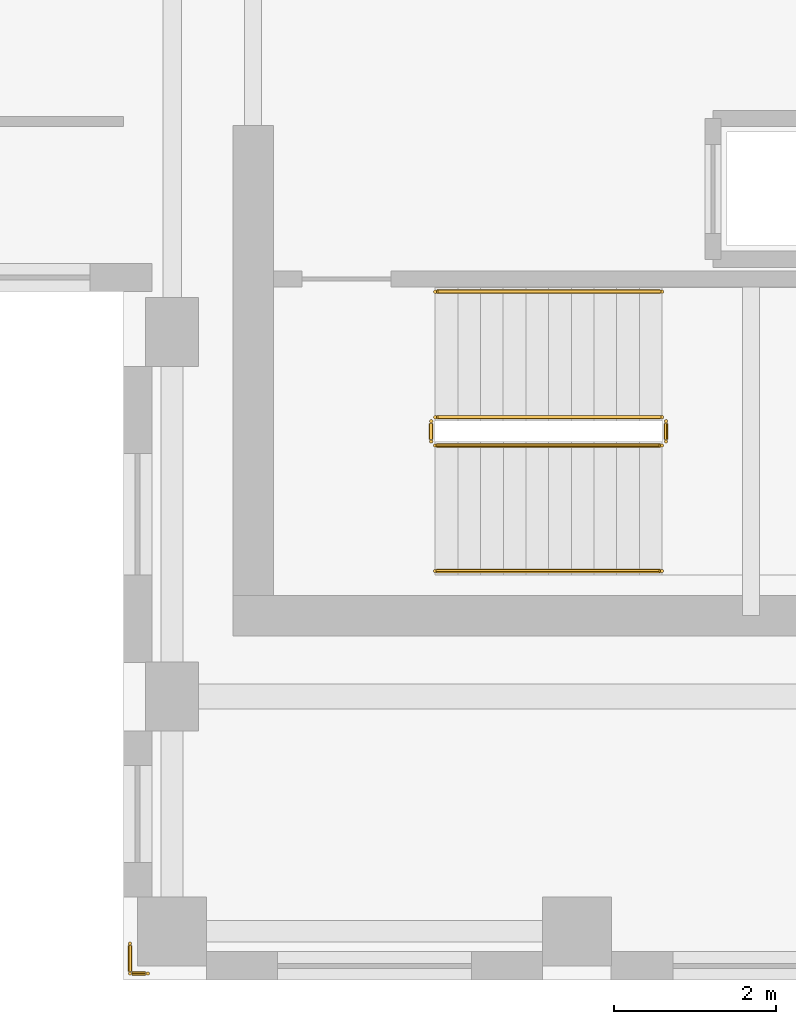
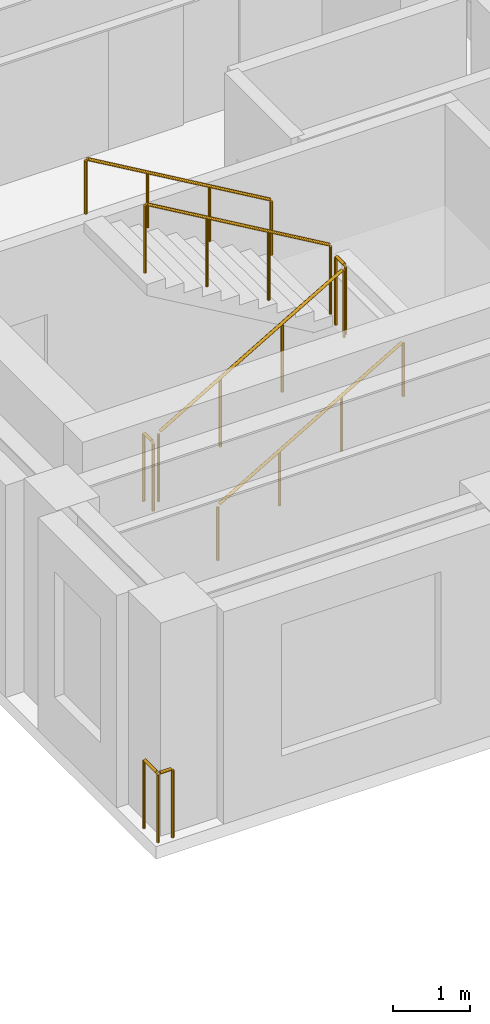
# One storey, part 10 of 10: 7 railings.
"""IFC4 building model written with IfcOpenShell, lengths in metres."""

from ifc_helpers import new_model, si_unit, direction, frame, origin, origin_2d, place, context, subcontext, project, spatial, circle, extrude, source, transform, mapped, material, layer, layer_set, type_object, element, save


model = new_model("IFC4")

# Units and contexts
model_context = context("Model", 3, precision=1e-05, world=origin(), true_north=direction((0.0, 1.0)))
body_context = subcontext(model_context, "Body", "Model", "MODEL_VIEW")
ifc_project = project(units=[si_unit("LENGTHUNIT", "METRE"), si_unit("AREAUNIT", "SQUARE_METRE"), si_unit("VOLUMEUNIT", "CUBIC_METRE"), si_unit("PLANEANGLEUNIT", "RADIAN"), si_unit("MASSUNIT", "GRAM", prefix="KILO")], contexts=[model_context])

# Site, building, storey
site_placement = place(None, origin())
site = spatial("IfcSite", under=ifc_project, at=site_placement, CompositionType="ELEMENT")
building_placement = place(site_placement, origin())
building = spatial("IfcBuilding", under=site, at=building_placement, Name="Kharzan Plaza Tower", CompositionType="ELEMENT")
storey_placement = place(building_placement, frame((0.0, 0.0, 230.39990234375)))
storey = spatial("IfcBuildingStorey", under=building, at=storey_placement, Name="L62", CompositionType="ELEMENT", Elevation=230.39990234375)

# Railings
ifc_material_1 = material(Name="Painted Galvanized Architectural Steel", Category="steel")
ifc_layer_1 = layer(ifc_material_1, 0.074951171875)
ifc_layer_set_1 = layer_set([ifc_layer_1], Name="Painted Galvanized Architectural Steel")
railing_type_1 = type_object("IfcRailingType", Name="RL-GUARD-1120", PredefinedType="BALUSTRADE", material=ifc_layer_set_1)
shared_shape_1 = source(origin(), body_context, "Body", "SweptSolid", [
    extrude(circle(Radius=0.02392578125, at=origin_2d()), frame((0.0, 0.0263671875, 1.09619140625), z_axis=(0.0, 1.0, 0.0), x_axis=(-1.0, 0.0, 0.0)), (0.0, 0.0, 1.0), 0.197021484375),
    extrude(circle(Radius=0.02099609375, at=origin_2d()), origin(), (0.0, 0.0, 1.0), 1.072021484375),
    extrude(circle(Radius=0.02099609375, at=origin_2d()), frame((0.0, 0.25, 0.0)), (0.0, 0.0, 1.0), 1.072021484375),
])
for number, where, name in (
    (1, (41.10009765625, 6.64990234375, 1.800048828125), "L62 ST-3 stair guard 2"),
    (2, (38.199951171875, 6.64990234375, 0.0), "L62 ST-3 stair guard 4"),
):
    element("IfcRailing", number, at=place(storey_placement, frame(where)), inside=storey, type_object=railing_type_1, Name=name, PredefinedType="BALUSTRADE", context=body_context, shape_type="MappedRepresentation", body=[
        mapped(shared_shape_1, transform((0.0, 0.0, 0.0), x_axis=(1.0, 0.0, 0.0), y_axis=(0.0, 1.0, 0.0), z_axis=(0.0, 0.0, 1.0))),
    ])
shared_shape_2 = source(origin(), body_context, "Body", "SweptSolid", [
    extrude(circle(Radius=0.02392578125, at=origin_2d()), frame((-0.02294921875, 0.0, 1.109375), z_axis=(-0.863360870873, 0.0, 0.504586966384), x_axis=(0.0, -1.0, 0.0)), (0.0, 0.0, 1.0), 3.190185546875),
    extrude(circle(Radius=0.02099609375, at=origin_2d()), origin(), (0.0, 0.0, 1.0), 1.072021484375),
    extrude(circle(Radius=0.02099609375, at=origin_2d()), frame((-0.933349609375, 0.0, 0.54541015625)), (0.0, 0.0, 1.0), 1.072021484375),
    extrude(circle(Radius=0.02099609375, at=origin_2d()), frame((-1.86669921875, 0.0, 1.091064453125)), (0.0, 0.0, 1.0), 1.072021484375),
    extrude(circle(Radius=0.02099609375, at=origin_2d()), frame((-2.800048828125, 0.0, 1.636474609375)), (0.0, 0.0, 1.0), 1.072021484375),
])
railing_1_placement = place(storey_placement, frame((41.050048828125, 6.949951171875, 1.963623046875)))
element("IfcRailing", 3, at=railing_1_placement, inside=storey, type_object=railing_type_1, Name="L62 ST-3 stair guard 3", PredefinedType="BALUSTRADE", context=body_context, shape_type="MappedRepresentation", body=[
    mapped(shared_shape_2, transform((0.0, 0.0, 0.0), x_axis=(1.0, 0.0, 0.0), y_axis=(0.0, 1.0, 0.0), z_axis=(0.0, 0.0, 1.0))),
])
ifc_material_2 = material(Name="Brushed Stainless Steel", Category="steel")
ifc_layer_2 = layer(ifc_material_2, 0.050048828125)
ifc_layer_set_2 = layer_set([ifc_layer_2], Name="Brushed Stainless Steel")
railing_type_2 = type_object("IfcRailingType", Name="RL-STAIR-HR920", PredefinedType="HANDRAIL", material=ifc_layer_set_2)
shared_shape_3 = source(origin(), body_context, "Body", "SweptSolid", [
    extrude(circle(Radius=0.02392578125, at=origin_2d()), frame((-0.02294921875, 0.0, 0.88916015625), z_axis=(-0.863360870873, 0.0, 0.504586966384), x_axis=(0.0, -1.0, 0.0)), (0.0, 0.0, 1.0), 3.190185546875),
    extrude(circle(Radius=0.02099609375, at=origin_2d()), origin(), (0.0, 0.0, 1.0), 0.851806640625),
    extrude(circle(Radius=0.02099609375, at=origin_2d()), frame((-0.933349609375, 0.0, 0.54541015625)), (0.0, 0.0, 1.0), 0.851806640625),
    extrude(circle(Radius=0.02099609375, at=origin_2d()), frame((-1.86669921875, 0.0, 1.091064453125)), (0.0, 0.0, 1.0), 0.851806640625),
    extrude(circle(Radius=0.02099609375, at=origin_2d()), frame((-2.800048828125, 0.0, 1.636474609375)), (0.0, 0.0, 1.0), 0.851806640625),
])
railing_2_placement = place(storey_placement, frame((41.050048828125, 8.5, 1.963623046875)))
element("IfcRailing", 4, at=railing_2_placement, inside=storey, type_object=railing_type_2, Name="L62 ST-3 stair handrail 2", PredefinedType="HANDRAIL", context=body_context, shape_type="MappedRepresentation", body=[
    mapped(shared_shape_3, transform((0.0, 0.0, 0.0), x_axis=(1.0, 0.0, 0.0), y_axis=(0.0, 1.0, 0.0), z_axis=(0.0, 0.0, 1.0))),
])
shared_shape_4 = source(origin(), body_context, "Body", "SweptSolid", [
    extrude(circle(Radius=0.02392578125, at=origin_2d()), frame((0.02294921875, 0.0, 1.109375), z_axis=(0.863393664356, 0.0, 0.504530851732), x_axis=(0.0, 1.0, 0.0)), (0.0, 0.0, 1.0), 3.190185546875),
    extrude(circle(Radius=0.02099609375, at=origin_2d()), origin(), (0.0, 0.0, 1.0), 1.072021484375),
    extrude(circle(Radius=0.02099609375, at=origin_2d()), frame((0.933349609375, 0.0, 0.54541015625)), (0.0, 0.0, 1.0), 1.072021484375),
    extrude(circle(Radius=0.02099609375, at=origin_2d()), frame((1.86669921875, 0.0, 1.0908203125)), (0.0, 0.0, 1.0), 1.072021484375),
    extrude(circle(Radius=0.02099609375, at=origin_2d()), frame((2.800048828125, 0.0, 1.63623046875)), (0.0, 0.0, 1.0), 1.072021484375),
])
railing_3_placement = place(storey_placement, frame((38.25, 6.60009765625, 0.163818359375)))
element("IfcRailing", 5, at=railing_3_placement, inside=storey, type_object=railing_type_1, Name="L62 ST-3 stair guard 1", PredefinedType="BALUSTRADE", context=body_context, shape_type="MappedRepresentation", body=[
    mapped(shared_shape_4, transform((0.0, 0.0, 0.0), x_axis=(1.0, 0.0, 0.0), y_axis=(0.0, 1.0, 0.0), z_axis=(0.0, 0.0, 1.0))),
])
shared_shape_5 = source(origin(), body_context, "Body", "SweptSolid", [
    extrude(circle(Radius=0.02392578125, at=origin_2d()), frame((0.02294921875, 0.0, 0.88916015625), z_axis=(0.863393664356, 0.0, 0.504530851732), x_axis=(0.0, 1.0, 0.0)), (0.0, 0.0, 1.0), 3.190185546875),
    extrude(circle(Radius=0.02099609375, at=origin_2d()), origin(), (0.0, 0.0, 1.0), 0.851806640625),
    extrude(circle(Radius=0.02099609375, at=origin_2d()), frame((0.933349609375, 0.0, 0.54541015625)), (0.0, 0.0, 1.0), 0.851806640625),
    extrude(circle(Radius=0.02099609375, at=origin_2d()), frame((1.86669921875, 0.0, 1.0908203125)), (0.0, 0.0, 1.0), 0.851806640625),
    extrude(circle(Radius=0.02099609375, at=origin_2d()), frame((2.800048828125, 0.0, 1.63623046875)), (0.0, 0.0, 1.0), 0.851806640625),
])
railing_4_placement = place(storey_placement, frame((38.25, 5.050048828125, 0.163818359375)))
element("IfcRailing", 6, at=railing_4_placement, inside=storey, type_object=railing_type_2, Name="L62 ST-3 stair handrail 1", PredefinedType="HANDRAIL", context=body_context, shape_type="MappedRepresentation", body=[
    mapped(shared_shape_5, transform((0.0, 0.0, 0.0), x_axis=(1.0, 0.0, 0.0), y_axis=(0.0, 1.0, 0.0), z_axis=(0.0, 0.0, 1.0))),
])
shared_shape_6 = source(origin(), body_context, "Body", "SweptSolid", [
    extrude(circle(Radius=0.02392578125, at=origin_2d()), frame((-0.0263671875, 0.0, 1.09619140625), z_axis=(-1.0, 0.0, 0.0), x_axis=(0.0, -1.0, 0.0)), (0.0, 0.0, 1.0), 0.1669921875),
    extrude(circle(Radius=0.02392578125, at=origin_2d()), frame((-0.219970703125, 0.0263671875, 1.09619140625), z_axis=(0.0, 1.0, 0.0), x_axis=(-1.0, 0.0, 0.0)), (0.0, 0.0, 1.0), 0.31689453125),
    extrude(circle(Radius=0.02099609375, at=origin_2d()), origin(), (0.0, 0.0, 1.0), 1.072021484375),
    extrude(circle(Radius=0.02099609375, at=origin_2d()), frame((-0.219970703125, 0.0, 0.0)), (0.0, 0.0, 1.0), 1.072021484375),
    extrude(circle(Radius=0.02099609375, at=origin_2d()), frame((-0.219970703125, 0.369873046875, 0.0)), (0.0, 0.0, 1.0), 1.072021484375),
])
railing_5_placement = place(storey_placement, frame((34.699951171875, 0.080078125, 0.0)))
element("IfcRailing", 7, at=railing_5_placement, inside=storey, type_object=railing_type_1, Name="L62 South-West Wing B Slot Corner Safety Guard", PredefinedType="BALUSTRADE", context=body_context, shape_type="MappedRepresentation", body=[
    mapped(shared_shape_6, transform((0.0, 0.0, 0.0), x_axis=(1.0, 0.0, 0.0), y_axis=(0.0, 1.0, 0.0), z_axis=(0.0, 0.0, 1.0))),
])

save(model, "model.ifc")
